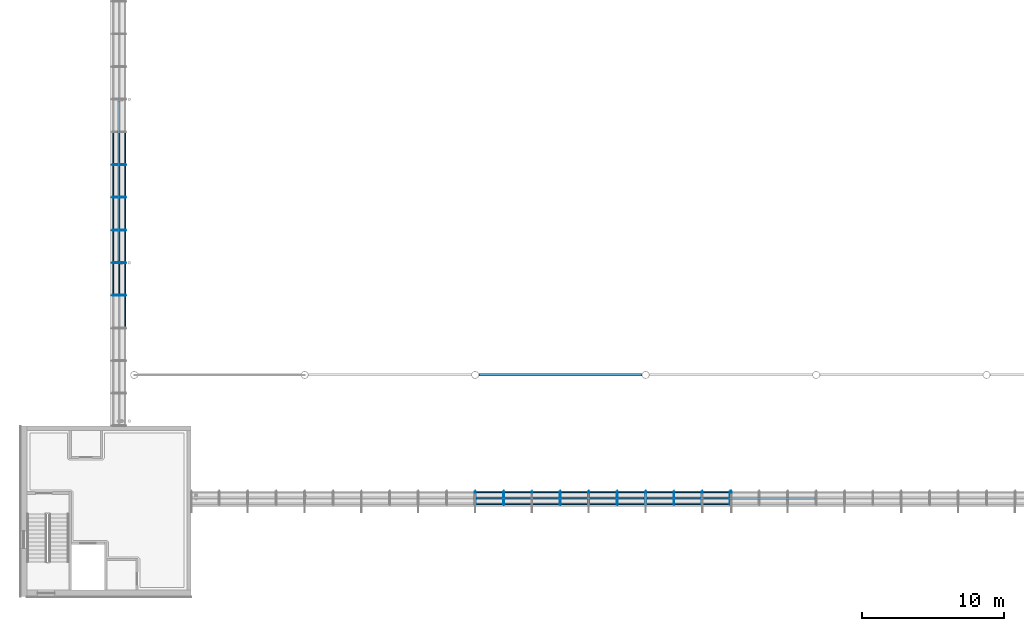
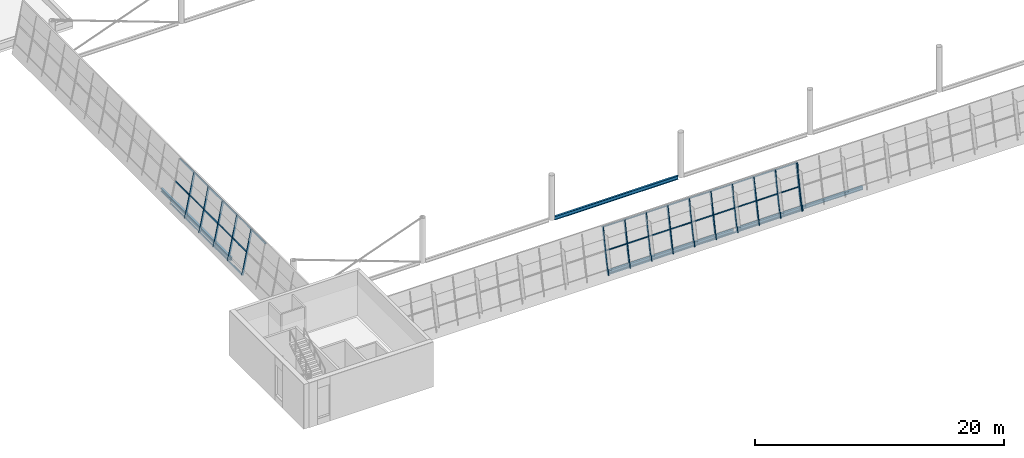
# One storey, part 10 of 50: 59 members, 4 beams, 3 elements without a shape of their own.
"""IFC4 building model written with IfcOpenShell, lengths in metres."""

import ifcopenshell
import ifcopenshell.guid

model = None  # the IFC model being written
_history = None  # IfcOwnerHistory: only IFC2X3 demands one
_inside = {}  # id of a spatial element -> (the spatial element, [elements in it])
_under = {}  # id of a project, library or spatial element -> (it, [spatial elements below it])
_declared = {}  # id of a project -> (the project, [libraries it declares])
_typed = {}  # id of a type object -> (the type object, [elements of that type])
_made_of = {}  # id of a material, layer set ... -> (it, [elements and type objects made of it])


def new_model(schema):
    """Start an empty IFC model of exactly this schema.

    Asked for "IFC4X3", IfcOpenShell would pick the latest addendum, in which some entities
    have other attributes; the version numbers below select the first issue.
    IFC2X3 requires an IfcOwnerHistory on every rooted entity: one is made here for all.
    """
    global model, _history
    if schema == "IFC4X3":
        model = ifcopenshell.file(schema_version=(4, 3, 0, 0))
    else:
        model = ifcopenshell.file(schema=schema)
    _inside.clear()
    _under.clear()
    _declared.clear()
    _typed.clear()
    _made_of.clear()
    _history = None
    if model.schema == "IFC2X3":
        org = make("IfcOrganization", Name="unknown")
        user = make(
            "IfcPersonAndOrganization",
            ThePerson=make("IfcPerson", FamilyName="unknown"),
            TheOrganization=org,
        )
        app = make(
            "IfcApplication",
            ApplicationDeveloper=org,
            Version="unknown",
            ApplicationFullName="unknown",
            ApplicationIdentifier="unknown",
        )
        _history = make(
            "IfcOwnerHistory",
            OwningUser=user,
            OwningApplication=app,
            ChangeAction="ADDED",
            CreationDate=0,
        )
    return model


def make(cls, **values):
    """One entity of the class cls with the attributes given. An attribute that is None is left unset."""
    return model.create_entity(
        cls, **{name: value for name, value in values.items() if value is not None}
    )


def rooted(cls, **values):
    """An entity with a GlobalId (a new one), such as an element, a storey or a relation."""
    return make(cls, GlobalId=ifcopenshell.guid.new(), OwnerHistory=_history, **values)


def si_unit(unit_type, name, prefix=None):
    """IfcSIUnit, for example si_unit("LENGTHUNIT", "METRE", prefix="MILLI")."""
    return make("IfcSIUnit", UnitType=unit_type, Prefix=prefix, Name=name)


def assignment(units):
    """IfcUnitAssignment: the units of a project."""
    return None if units is None else make("IfcUnitAssignment", Units=units)


def point(xyz):
    """IfcCartesianPoint."""
    return None if xyz is None else make("IfcCartesianPoint", Coordinates=xyz)


def direction(xyz):
    """IfcDirection."""
    return None if xyz is None else make("IfcDirection", DirectionRatios=xyz)


def frame(location, z_axis=None, x_axis=None):
    """IfcAxis2Placement3D, a coordinate frame: its origin and axes. An axis left out is left unset."""
    return make(
        "IfcAxis2Placement3D",
        Location=point(location),
        Axis=direction(z_axis),
        RefDirection=direction(x_axis),
    )


def frame_2d(location, x_axis=None):
    """IfcAxis2Placement2D, a coordinate frame in the plane: its origin and x axis."""
    return make(
        "IfcAxis2Placement2D", Location=point(location), RefDirection=direction(x_axis)
    )


def origin():
    """The frame at (0, 0, 0) with its axes left unset."""
    return frame((0.0, 0.0, 0.0))


def origin_2d():
    """The frame at (0, 0) in the plane with its x axis left unset."""
    return frame_2d((0.0, 0.0))


def place(relative_to, where):
    """IfcLocalPlacement: puts the frame where relative to a parent placement (None: the world)."""
    return make(
        "IfcLocalPlacement", PlacementRelTo=relative_to, RelativePlacement=where
    )


def context(
    kind, dimensions, precision=None, world=None, true_north=None, identifier=None
):
    """IfcGeometricRepresentationContext, for example the 3D "Model" context."""
    return make(
        "IfcGeometricRepresentationContext",
        ContextIdentifier=identifier,
        ContextType=kind,
        CoordinateSpaceDimension=dimensions,
        Precision=precision,
        WorldCoordinateSystem=world,
        TrueNorth=true_north,
    )


def subcontext(parent, identifier, kind, view, scale=None):
    """IfcGeometricRepresentationSubContext, for example "Body" below "Model"."""
    return make(
        "IfcGeometricRepresentationSubContext",
        ContextIdentifier=identifier,
        ContextType=kind,
        ParentContext=parent,
        TargetScale=scale,
        TargetView=view,
    )


def project(units=None, contexts=None):
    """IfcProject with its units and contexts."""
    return rooted(
        "IfcProject",
        Name="project",
        RepresentationContexts=contexts,
        UnitsInContext=assignment(units),
    )


def spatial(cls, under=None, at=None, **own):
    """A site, building, storey or space (cls), placed at a placement, below another one or the project."""
    s = rooted(cls, ObjectPlacement=at, **own)
    if under is not None:
        _under.setdefault(under.id(), (under, []))[1].append(s)
    return s


def profile(cls, at=None, kind="AREA", **sizes):
    """A parametric profile (cls). Its sizes go by their IFC names, for example OverallWidth=200.0."""
    return make(cls, ProfileType=kind, Position=at, **sizes)


def rectangle(**sizes):
    """IfcRectangleProfileDef."""
    return profile("IfcRectangleProfileDef", **sizes)


def i_section(**sizes):
    """IfcIShapeProfileDef."""
    return profile("IfcIShapeProfileDef", **sizes)


def extrude(swept, where, along, depth):
    """IfcExtrudedAreaSolid: the profile swept, set in the frame where, extruded along a direction by depth."""
    return make(
        "IfcExtrudedAreaSolid",
        SweptArea=swept,
        Position=where,
        ExtrudedDirection=direction(along),
        Depth=depth,
    )


def shape(context_of_items, identifier, shape_type, items):
    """IfcShapeRepresentation: the items that make up one representation, for example the "Body"."""
    return make(
        "IfcShapeRepresentation",
        ContextOfItems=context_of_items,
        RepresentationIdentifier=identifier,
        RepresentationType=shape_type,
        Items=items,
    )


def material(Name=None, Category=None):
    """IfcMaterial."""
    return make("IfcMaterial", Name=Name, Category=Category)


def layer(
    of_material, thickness, ventilated=None, Name=None, Category=None, Priority=None
):
    """IfcMaterialLayer: one layer of a wall or slab, of a material (None: an air gap)."""
    return make(
        "IfcMaterialLayer",
        Material=of_material,
        LayerThickness=thickness,
        IsVentilated=ventilated,
        Name=Name,
        Category=Category,
        Priority=Priority,
    )


def layer_set(layers, Name=None):
    """IfcMaterialLayerSet."""
    return make("IfcMaterialLayerSet", MaterialLayers=layers, LayerSetName=Name)


def material_profile(
    of_material, cross_section, Name=None, Category=None, Priority=None
):
    """IfcMaterialProfile: a cross section and its material."""
    return make(
        "IfcMaterialProfile",
        Name=Name,
        Material=of_material,
        Profile=cross_section,
        Priority=Priority,
        Category=Category,
    )


def profile_set(profiles, Name=None, composite=None):
    """IfcMaterialProfileSet."""
    return make(
        "IfcMaterialProfileSet",
        Name=Name,
        MaterialProfiles=profiles,
        CompositeProfile=composite,
    )


def made_of(thing, what):
    """Note that an element or type object is made of a material, layer set ...; save() writes the relation."""
    if what is not None:
        _made_of.setdefault(what.id(), (what, []))[1].append(thing)
    return thing


def type_object(cls, material=None, **own):
    """A type object (cls), such as IfcWallType, which elements share."""
    return made_of(rooted(cls, **own), material)


def element(
    cls,
    number,
    at=None,
    inside=None,
    cuts=None,
    type_object=None,
    material=None,
    context=None,
    identifier="Body",
    shape_type=None,
    held_by="IfcProductDefinitionShape",
    body=None,
    shapes=None,
    **own,
):
    """One element of the class cls, such as IfcWall. Its Tag is "e" and its number.

    at: its placement. inside: the storey or other place that contains it. cuts: it is an
    opening in that element (IfcRelVoidsElement). A single representation is given by context,
    identifier, shape_type and body (its items); several are given by shapes. held_by: the class
    of the entity that holds the representations. save() writes the other relations.
    """
    e = rooted(cls, Tag="e%d" % number, ObjectPlacement=at, **own)
    if body is not None:
        shapes = [shape(context, identifier, shape_type, body)]
    if shapes is not None:
        e.Representation = make(held_by, Representations=shapes)
    if inside is not None:
        _inside.setdefault(inside.id(), (inside, []))[1].append(e)
    if cuts is not None:
        rooted(
            "IfcRelVoidsElement", RelatingBuildingElement=cuts, RelatedOpeningElement=e
        )
    if type_object is not None:
        _typed.setdefault(type_object.id(), (type_object, []))[1].append(e)
    return made_of(e, material)


def aggregate(whole, parts):
    """IfcRelAggregates: a whole, such as a stair, and the parts it consists of."""
    return rooted("IfcRelAggregates", RelatingObject=whole, RelatedObjects=parts)


def save(model, path):
    """Write the relations noted so far, then the file.

    IfcRelAggregates (storeys below a building ...), IfcRelContainedInSpatialStructure (elements
    in a storey), IfcRelDefinesByType, IfcRelAssociatesMaterial and IfcRelDeclares: one each for
    every whole, place, type object, material and project.
    """
    for whole, parts in _under.values():
        aggregate(whole, parts)
    for where, things in _inside.values():
        rooted(
            "IfcRelContainedInSpatialStructure",
            RelatedElements=things,
            RelatingStructure=where,
        )
    for kind, things in _typed.values():
        rooted("IfcRelDefinesByType", RelatedObjects=things, RelatingType=kind)
    for what, things in _made_of.values():
        rooted("IfcRelAssociatesMaterial", RelatedObjects=things, RelatingMaterial=what)
    for by, libraries in _declared.values():
        rooted("IfcRelDeclares", RelatingContext=by, RelatedDefinitions=libraries)
    model.write(path)


model = new_model("IFC4")

# Units and contexts
model_context = context("Model", 3, precision=1e-05, world=origin(), true_north=direction((0.0, 1.0)))
body_context = subcontext(model_context, "Body", "Model", "MODEL_VIEW")
ifc_project = project(units=[si_unit("LENGTHUNIT", "METRE"), si_unit("AREAUNIT", "SQUARE_METRE"), si_unit("VOLUMEUNIT", "CUBIC_METRE"), si_unit("PLANEANGLEUNIT", "RADIAN"), si_unit("MASSUNIT", "GRAM", prefix="KILO")], contexts=[model_context])

# Site, building, storey
site_placement = place(None, origin())
site = spatial("IfcSite", under=ifc_project, at=site_placement, CompositionType="ELEMENT")
building_placement = place(site_placement, origin())
building = spatial("IfcBuilding", under=site, at=building_placement, Name="Windward Yard Aquatics Centre", CompositionType="ELEMENT")
storey_placement = place(building_placement, frame((0.0, 0.0, 18.199951171875)))
storey = spatial("IfcBuildingStorey", under=building, at=storey_placement, Name="L04", CompositionType="ELEMENT", Elevation=18.199951171875)

# Curtain wall, members
ifc_material_1 = material(Name="Glass and aluminium curtain wall", Category="aluminium")
ifc_layer = layer(ifc_material_1, 0.179931640625)
ifc_layer_set = layer_set([ifc_layer], Name="H curtain wall tier 2 double glazed 6+16+6")
curtain_wall_type = type_object("IfcCurtainWallType", Name="H curtain wall tier 2 double glazed 6+16+6", PredefinedType="NOTDEFINED", material=ifc_layer_set)
curtain_wall_1_placement = place(storey_placement, origin())
curtain_wall_1 = element("IfcCurtainWall", 1, at=curtain_wall_1_placement, inside=storey, type_object=curtain_wall_type, Name="Tier 2 glazing S L04", PredefinedType="NOTDEFINED")
ifc_material_2 = material(Name="Aluminium 6063-T6 anodised", Category="aluminium")
ifc_material_profile_1 = material_profile(ifc_material_2, rectangle(XDim=0.06494140625, YDim=0.179931640625, at=origin_2d()), Name="H CW mullion 65x180")
ifc_profile_set_1 = profile_set([ifc_material_profile_1], Name="Aluminium 6063-T6 anodised")
member_type_1 = type_object("IfcMemberType", Name="H CW mullion 65x180", PredefinedType="MULLION", material=ifc_profile_set_1)
member_1_placement = place(storey_placement, frame((83.997314453125, 32.505126953125, 0.0), z_axis=(0.0, 0.199376314935, 0.979922999548), x_axis=(-1.0, 0.0, 0.0)))
member_1 = element("IfcMember", 2, at=member_1_placement, type_object=member_type_1, Name="G2SA mullion 11", PredefinedType="MULLION", context=body_context, shape_type="SweptSolid", body=[
    extrude(rectangle(XDim=0.06494140625, YDim=0.179931640625, at=origin_2d()), origin(), (0.0, 0.0, 1.0), 4.31884765625),
])
member_2_placement = place(storey_placement, frame((85.9970703125, 32.505126953125, 0.0), z_axis=(0.0, 0.199376314935, 0.979922999548), x_axis=(-1.0, 0.0, 0.0)))
member_2 = element("IfcMember", 3, at=member_2_placement, type_object=member_type_1, Name="G2SA mullion 12", PredefinedType="MULLION", context=body_context, shape_type="SweptSolid", body=[
    extrude(rectangle(XDim=0.06494140625, YDim=0.179931640625, at=origin_2d()), origin(), (0.0, 0.0, 1.0), 4.31884765625),
])
member_3_placement = place(storey_placement, frame((87.996826171875, 32.505126953125, 0.0), z_axis=(0.0, 0.199376314935, 0.979922999548), x_axis=(-1.0, 0.0, 0.0)))
member_3 = element("IfcMember", 4, at=member_3_placement, type_object=member_type_1, Name="G2SA mullion 13", PredefinedType="MULLION", context=body_context, shape_type="SweptSolid", body=[
    extrude(rectangle(XDim=0.06494140625, YDim=0.179931640625, at=origin_2d()), origin(), (0.0, 0.0, 1.0), 4.31884765625),
])
member_4_placement = place(storey_placement, frame((89.99658203125, 32.505126953125, 0.0), z_axis=(0.0, 0.199376314935, 0.979922999548), x_axis=(-1.0, 0.0, 0.0)))
member_4 = element("IfcMember", 5, at=member_4_placement, type_object=member_type_1, Name="G2SA mullion 14", PredefinedType="MULLION", context=body_context, shape_type="SweptSolid", body=[
    extrude(rectangle(XDim=0.06494140625, YDim=0.179931640625, at=origin_2d()), origin(), (0.0, 0.0, 1.0), 4.31884765625),
])
member_5_placement = place(storey_placement, frame((91.996337890625, 32.505126953125, 0.0), z_axis=(0.0, 0.199376314935, 0.979922999548), x_axis=(-1.0, 0.0, 0.0)))
member_5 = element("IfcMember", 6, at=member_5_placement, type_object=member_type_1, Name="G2SA mullion 15", PredefinedType="MULLION", context=body_context, shape_type="SweptSolid", body=[
    extrude(rectangle(XDim=0.06494140625, YDim=0.179931640625, at=origin_2d()), origin(), (0.0, 0.0, 1.0), 4.31884765625),
])
member_6_placement = place(storey_placement, frame((93.99609375, 32.505126953125, 0.0), z_axis=(0.0, 0.199376314935, 0.979922999548), x_axis=(-1.0, 0.0, 0.0)))
member_6 = element("IfcMember", 7, at=member_6_placement, type_object=member_type_1, Name="G2SA mullion 16", PredefinedType="MULLION", context=body_context, shape_type="SweptSolid", body=[
    extrude(rectangle(XDim=0.06494140625, YDim=0.179931640625, at=origin_2d()), origin(), (0.0, 0.0, 1.0), 4.31884765625),
])
member_7_placement = place(storey_placement, frame((95.995849609375, 32.505126953125, 0.0), z_axis=(0.0, 0.199376314935, 0.979922999548), x_axis=(-1.0, 0.0, 0.0)))
member_7 = element("IfcMember", 8, at=member_7_placement, type_object=member_type_1, Name="G2SA mullion 17", PredefinedType="MULLION", context=body_context, shape_type="SweptSolid", body=[
    extrude(rectangle(XDim=0.06494140625, YDim=0.179931640625, at=origin_2d()), origin(), (0.0, 0.0, 1.0), 4.31884765625),
])
member_8_placement = place(storey_placement, frame((97.99560546875, 32.505126953125, 0.0), z_axis=(0.0, 0.199376314935, 0.979922999548), x_axis=(-1.0, 0.0, 0.0)))
member_8 = element("IfcMember", 9, at=member_8_placement, type_object=member_type_1, Name="G2SA mullion 18", PredefinedType="MULLION", context=body_context, shape_type="SweptSolid", body=[
    extrude(rectangle(XDim=0.06494140625, YDim=0.179931640625, at=origin_2d()), origin(), (0.0, 0.0, 1.0), 4.31884765625),
])
member_9_placement = place(storey_placement, frame((99.995361328125, 32.505126953125, 0.0), z_axis=(0.0, 0.199376314935, 0.979922999548), x_axis=(-1.0, 0.0, 0.0)))
member_9 = element("IfcMember", 10, at=member_9_placement, type_object=member_type_1, Name="G2SA mullion 19", PredefinedType="MULLION", context=body_context, shape_type="SweptSolid", body=[
    extrude(rectangle(XDim=0.06494140625, YDim=0.179931640625, at=origin_2d()), origin(), (0.0, 0.0, 1.0), 4.31884765625),
])
member_10_placement = place(storey_placement, frame((101.96240234375, 32.505126953125, 0.0), z_axis=(0.0, 0.199376314935, 0.979922999548), x_axis=(-1.0, 0.0, 0.0)))
member_10 = element("IfcMember", 11, at=member_10_placement, type_object=member_type_1, Name="G2SA mullion 20", PredefinedType="MULLION", context=body_context, shape_type="SweptSolid", body=[
    extrude(rectangle(XDim=0.06494140625, YDim=0.179931640625, at=origin_2d()), origin(), (0.0, 0.0, 1.0), 4.31884765625),
])

# Curtain wall, member
curtain_wall_2_placement = place(storey_placement, origin())
curtain_wall_2 = element("IfcCurtainWall", 12, at=curtain_wall_2_placement, inside=storey, type_object=curtain_wall_type, Name="Tier 2 glazing S L04", PredefinedType="NOTDEFINED")
member_11_placement = place(storey_placement, frame((102.03759765625, 32.505126953125, 0.0), z_axis=(0.0, 0.199376314935, 0.979922999548), x_axis=(-1.0, 0.0, 0.0)))
member_11 = element("IfcMember", 13, at=member_11_placement, type_object=member_type_1, Name="G2SB mullion 1", PredefinedType="MULLION", context=body_context, shape_type="SweptSolid", body=[
    extrude(rectangle(XDim=0.06494140625, YDim=0.179931640625, at=origin_2d()), origin(), (0.0, 0.0, 1.0), 4.31884765625),
])
aggregate(curtain_wall_2, [member_11])

# Curtain wall, members
curtain_wall_3_placement = place(storey_placement, origin())
curtain_wall_3 = element("IfcCurtainWall", 14, at=curtain_wall_3_placement, inside=storey, type_object=curtain_wall_type, Name="Tier 2 glazing W L04", PredefinedType="NOTDEFINED")
member_12_placement = place(storey_placement, frame((58.505126953125, 47.199951171875, 0.0), z_axis=(0.199376314935, 0.0, 0.979922999548), x_axis=(0.0, 1.0, 0.0)))
member_12 = element("IfcMember", 15, at=member_12_placement, type_object=member_type_1, Name="G2WA mullion 5", PredefinedType="MULLION", context=body_context, shape_type="SweptSolid", body=[
    extrude(rectangle(XDim=0.06494140625, YDim=0.179931640625, at=origin_2d()), origin(), (0.0, 0.0, 1.0), 4.31884765625),
])
member_13_placement = place(storey_placement, frame((58.505126953125, 49.5, 0.0), z_axis=(0.199376314935, 0.0, 0.979922999548), x_axis=(0.0, 1.0, 0.0)))
member_13 = element("IfcMember", 16, at=member_13_placement, type_object=member_type_1, Name="G2WA mullion 6", PredefinedType="MULLION", context=body_context, shape_type="SweptSolid", body=[
    extrude(rectangle(XDim=0.06494140625, YDim=0.179931640625, at=origin_2d()), origin(), (0.0, 0.0, 1.0), 4.31884765625),
])
member_14_placement = place(storey_placement, frame((58.505126953125, 51.800048828125, 0.0), z_axis=(0.199376314935, 0.0, 0.979922999548), x_axis=(0.0, 1.0, 0.0)))
member_14 = element("IfcMember", 17, at=member_14_placement, type_object=member_type_1, Name="G2WA mullion 7", PredefinedType="MULLION", context=body_context, shape_type="SweptSolid", body=[
    extrude(rectangle(XDim=0.06494140625, YDim=0.179931640625, at=origin_2d()), origin(), (0.0, 0.0, 1.0), 4.31884765625),
])
member_15_placement = place(storey_placement, frame((58.505126953125, 54.10009765625, 0.0), z_axis=(0.199376314935, 0.0, 0.979922999548), x_axis=(0.0, 1.0, 0.0)))
member_15 = element("IfcMember", 18, at=member_15_placement, type_object=member_type_1, Name="G2WA mullion 8", PredefinedType="MULLION", context=body_context, shape_type="SweptSolid", body=[
    extrude(rectangle(XDim=0.06494140625, YDim=0.179931640625, at=origin_2d()), origin(), (0.0, 0.0, 1.0), 4.31884765625),
])
member_16_placement = place(storey_placement, frame((58.505126953125, 56.39990234375, 0.0), z_axis=(0.199376314935, 0.0, 0.979922999548), x_axis=(0.0, 1.0, 0.0)))
member_16 = element("IfcMember", 19, at=member_16_placement, type_object=member_type_1, Name="G2WA mullion 9", PredefinedType="MULLION", context=body_context, shape_type="SweptSolid", body=[
    extrude(rectangle(XDim=0.06494140625, YDim=0.179931640625, at=origin_2d()), origin(), (0.0, 0.0, 1.0), 4.31884765625),
])

# Member
ifc_material_profile_2 = material_profile(ifc_material_2, rectangle(XDim=0.06494140625, YDim=0.10009765625, at=origin_2d()), Name="H CW transom 65x100")
ifc_profile_set_2 = profile_set([ifc_material_profile_2], Name="Aluminium 6063-T6 anodised")
member_type_2 = type_object("IfcMemberType", Name="H CW transom 65x100", PredefinedType="USERDEFINED", material=ifc_profile_set_2)
member_17_placement = place(storey_placement, frame((84.02978515625, 32.51513671875, 0.049072265625), z_axis=(1.0, 0.0, 0.0), x_axis=(0.0, -0.9799247046, 0.19936793452)))
member_17 = element("IfcMember", 20, at=member_17_placement, type_object=member_type_2, Name="G2SA transom 11.1", ObjectType="TRANSOM", PredefinedType="USERDEFINED", context=body_context, shape_type="SweptSolid", body=[
    extrude(rectangle(XDim=0.06494140625, YDim=0.10009765625, at=origin_2d()), origin(), (0.0, 0.0, 1.0), 1.934814453125),
])

member_18_placement = place(storey_placement, frame((84.02978515625, 32.9375, 2.125), z_axis=(1.0, 0.0, 0.0), x_axis=(0.0, -0.9799247046, 0.19936793452)))
member_18 = element("IfcMember", 21, at=member_18_placement, type_object=member_type_2, Name="G2SA transom 11.2", ObjectType="TRANSOM", PredefinedType="USERDEFINED", context=body_context, shape_type="SweptSolid", body=[
    extrude(rectangle(XDim=0.06494140625, YDim=0.10009765625, at=origin_2d()), origin(), (0.0, 0.0, 1.0), 1.934814453125),
])

member_19_placement = place(storey_placement, frame((84.02978515625, 33.358642578125, 4.194580078125), z_axis=(1.0, 0.0, 0.0), x_axis=(0.0, -0.9799247046, 0.19936793452)))
member_19 = element("IfcMember", 22, at=member_19_placement, type_object=member_type_2, Name="G2SA transom 11.3", ObjectType="TRANSOM", PredefinedType="USERDEFINED", context=body_context, shape_type="SweptSolid", body=[
    extrude(rectangle(XDim=0.06494140625, YDim=0.10009765625, at=origin_2d()), origin(), (0.0, 0.0, 1.0), 1.934814453125),
])

member_20_placement = place(storey_placement, frame((86.029541015625, 32.51513671875, 0.049072265625), z_axis=(1.0, 0.0, 0.0), x_axis=(0.0, -0.9799247046, 0.19936793452)))
member_20 = element("IfcMember", 23, at=member_20_placement, type_object=member_type_2, Name="G2SA transom 12.1", ObjectType="TRANSOM", PredefinedType="USERDEFINED", context=body_context, shape_type="SweptSolid", body=[
    extrude(rectangle(XDim=0.06494140625, YDim=0.10009765625, at=origin_2d()), origin(), (0.0, 0.0, 1.0), 1.934814453125),
])

member_21_placement = place(storey_placement, frame((86.029541015625, 32.9375, 2.125), z_axis=(1.0, 0.0, 0.0), x_axis=(0.0, -0.9799247046, 0.19936793452)))
member_21 = element("IfcMember", 24, at=member_21_placement, type_object=member_type_2, Name="G2SA transom 12.2", ObjectType="TRANSOM", PredefinedType="USERDEFINED", context=body_context, shape_type="SweptSolid", body=[
    extrude(rectangle(XDim=0.06494140625, YDim=0.10009765625, at=origin_2d()), origin(), (0.0, 0.0, 1.0), 1.934814453125),
])

member_22_placement = place(storey_placement, frame((86.029541015625, 33.358642578125, 4.194580078125), z_axis=(1.0, 0.0, 0.0), x_axis=(0.0, -0.9799247046, 0.19936793452)))
member_22 = element("IfcMember", 25, at=member_22_placement, type_object=member_type_2, Name="G2SA transom 12.3", ObjectType="TRANSOM", PredefinedType="USERDEFINED", context=body_context, shape_type="SweptSolid", body=[
    extrude(rectangle(XDim=0.06494140625, YDim=0.10009765625, at=origin_2d()), origin(), (0.0, 0.0, 1.0), 1.934814453125),
])

member_23_placement = place(storey_placement, frame((88.029296875, 32.51513671875, 0.049072265625), z_axis=(1.0, 0.0, 0.0), x_axis=(0.0, -0.9799247046, 0.19936793452)))
member_23 = element("IfcMember", 26, at=member_23_placement, type_object=member_type_2, Name="G2SA transom 13.1", ObjectType="TRANSOM", PredefinedType="USERDEFINED", context=body_context, shape_type="SweptSolid", body=[
    extrude(rectangle(XDim=0.06494140625, YDim=0.10009765625, at=origin_2d()), origin(), (0.0, 0.0, 1.0), 1.934814453125),
])

member_24_placement = place(storey_placement, frame((88.029296875, 32.9375, 2.125), z_axis=(1.0, 0.0, 0.0), x_axis=(0.0, -0.9799247046, 0.19936793452)))
member_24 = element("IfcMember", 27, at=member_24_placement, type_object=member_type_2, Name="G2SA transom 13.2", ObjectType="TRANSOM", PredefinedType="USERDEFINED", context=body_context, shape_type="SweptSolid", body=[
    extrude(rectangle(XDim=0.06494140625, YDim=0.10009765625, at=origin_2d()), origin(), (0.0, 0.0, 1.0), 1.934814453125),
])

member_25_placement = place(storey_placement, frame((88.029296875, 33.358642578125, 4.194580078125), z_axis=(1.0, 0.0, 0.0), x_axis=(0.0, -0.9799247046, 0.19936793452)))
member_25 = element("IfcMember", 28, at=member_25_placement, type_object=member_type_2, Name="G2SA transom 13.3", ObjectType="TRANSOM", PredefinedType="USERDEFINED", context=body_context, shape_type="SweptSolid", body=[
    extrude(rectangle(XDim=0.06494140625, YDim=0.10009765625, at=origin_2d()), origin(), (0.0, 0.0, 1.0), 1.934814453125),
])

member_26_placement = place(storey_placement, frame((90.029052734375, 32.51513671875, 0.049072265625), z_axis=(1.0, 0.0, 0.0), x_axis=(0.0, -0.9799247046, 0.19936793452)))
member_26 = element("IfcMember", 29, at=member_26_placement, type_object=member_type_2, Name="G2SA transom 14.1", ObjectType="TRANSOM", PredefinedType="USERDEFINED", context=body_context, shape_type="SweptSolid", body=[
    extrude(rectangle(XDim=0.06494140625, YDim=0.10009765625, at=origin_2d()), origin(), (0.0, 0.0, 1.0), 1.934814453125),
])

member_27_placement = place(storey_placement, frame((90.029052734375, 32.9375, 2.125), z_axis=(1.0, 0.0, 0.0), x_axis=(0.0, -0.9799247046, 0.19936793452)))
member_27 = element("IfcMember", 30, at=member_27_placement, type_object=member_type_2, Name="G2SA transom 14.2", ObjectType="TRANSOM", PredefinedType="USERDEFINED", context=body_context, shape_type="SweptSolid", body=[
    extrude(rectangle(XDim=0.06494140625, YDim=0.10009765625, at=origin_2d()), origin(), (0.0, 0.0, 1.0), 1.934814453125),
])

member_28_placement = place(storey_placement, frame((90.029052734375, 33.358642578125, 4.194580078125), z_axis=(1.0, 0.0, 0.0), x_axis=(0.0, -0.9799247046, 0.19936793452)))
member_28 = element("IfcMember", 31, at=member_28_placement, type_object=member_type_2, Name="G2SA transom 14.3", ObjectType="TRANSOM", PredefinedType="USERDEFINED", context=body_context, shape_type="SweptSolid", body=[
    extrude(rectangle(XDim=0.06494140625, YDim=0.10009765625, at=origin_2d()), origin(), (0.0, 0.0, 1.0), 1.934814453125),
])

member_29_placement = place(storey_placement, frame((92.02880859375, 32.51513671875, 0.049072265625), z_axis=(1.0, 0.0, 0.0), x_axis=(0.0, -0.9799247046, 0.19936793452)))
member_29 = element("IfcMember", 32, at=member_29_placement, type_object=member_type_2, Name="G2SA transom 15.1", ObjectType="TRANSOM", PredefinedType="USERDEFINED", context=body_context, shape_type="SweptSolid", body=[
    extrude(rectangle(XDim=0.06494140625, YDim=0.10009765625, at=origin_2d()), origin(), (0.0, 0.0, 1.0), 1.934814453125),
])

member_30_placement = place(storey_placement, frame((92.02880859375, 32.9375, 2.125), z_axis=(1.0, 0.0, 0.0), x_axis=(0.0, -0.9799247046, 0.19936793452)))
member_30 = element("IfcMember", 33, at=member_30_placement, type_object=member_type_2, Name="G2SA transom 15.2", ObjectType="TRANSOM", PredefinedType="USERDEFINED", context=body_context, shape_type="SweptSolid", body=[
    extrude(rectangle(XDim=0.06494140625, YDim=0.10009765625, at=origin_2d()), origin(), (0.0, 0.0, 1.0), 1.934814453125),
])

member_31_placement = place(storey_placement, frame((92.02880859375, 33.358642578125, 4.194580078125), z_axis=(1.0, 0.0, 0.0), x_axis=(0.0, -0.9799247046, 0.19936793452)))
member_31 = element("IfcMember", 34, at=member_31_placement, type_object=member_type_2, Name="G2SA transom 15.3", ObjectType="TRANSOM", PredefinedType="USERDEFINED", context=body_context, shape_type="SweptSolid", body=[
    extrude(rectangle(XDim=0.06494140625, YDim=0.10009765625, at=origin_2d()), origin(), (0.0, 0.0, 1.0), 1.934814453125),
])

member_32_placement = place(storey_placement, frame((94.028564453125, 32.51513671875, 0.049072265625), z_axis=(1.0, 0.0, 0.0), x_axis=(0.0, -0.9799247046, 0.19936793452)))
member_32 = element("IfcMember", 35, at=member_32_placement, type_object=member_type_2, Name="G2SA transom 16.1", ObjectType="TRANSOM", PredefinedType="USERDEFINED", context=body_context, shape_type="SweptSolid", body=[
    extrude(rectangle(XDim=0.06494140625, YDim=0.10009765625, at=origin_2d()), origin(), (0.0, 0.0, 1.0), 1.934814453125),
])

member_33_placement = place(storey_placement, frame((94.028564453125, 32.9375, 2.125), z_axis=(1.0, 0.0, 0.0), x_axis=(0.0, -0.9799247046, 0.19936793452)))
member_33 = element("IfcMember", 36, at=member_33_placement, type_object=member_type_2, Name="G2SA transom 16.2", ObjectType="TRANSOM", PredefinedType="USERDEFINED", context=body_context, shape_type="SweptSolid", body=[
    extrude(rectangle(XDim=0.06494140625, YDim=0.10009765625, at=origin_2d()), origin(), (0.0, 0.0, 1.0), 1.934814453125),
])

member_34_placement = place(storey_placement, frame((94.028564453125, 33.358642578125, 4.194580078125), z_axis=(1.0, 0.0, 0.0), x_axis=(0.0, -0.9799247046, 0.19936793452)))
member_34 = element("IfcMember", 37, at=member_34_placement, type_object=member_type_2, Name="G2SA transom 16.3", ObjectType="TRANSOM", PredefinedType="USERDEFINED", context=body_context, shape_type="SweptSolid", body=[
    extrude(rectangle(XDim=0.06494140625, YDim=0.10009765625, at=origin_2d()), origin(), (0.0, 0.0, 1.0), 1.934814453125),
])

member_35_placement = place(storey_placement, frame((96.0283203125, 32.51513671875, 0.049072265625), z_axis=(1.0, 0.0, 0.0), x_axis=(0.0, -0.9799247046, 0.19936793452)))
member_35 = element("IfcMember", 38, at=member_35_placement, type_object=member_type_2, Name="G2SA transom 17.1", ObjectType="TRANSOM", PredefinedType="USERDEFINED", context=body_context, shape_type="SweptSolid", body=[
    extrude(rectangle(XDim=0.06494140625, YDim=0.10009765625, at=origin_2d()), origin(), (0.0, 0.0, 1.0), 1.934814453125),
])

member_36_placement = place(storey_placement, frame((96.0283203125, 32.9375, 2.125), z_axis=(1.0, 0.0, 0.0), x_axis=(0.0, -0.9799247046, 0.19936793452)))
member_36 = element("IfcMember", 39, at=member_36_placement, type_object=member_type_2, Name="G2SA transom 17.2", ObjectType="TRANSOM", PredefinedType="USERDEFINED", context=body_context, shape_type="SweptSolid", body=[
    extrude(rectangle(XDim=0.06494140625, YDim=0.10009765625, at=origin_2d()), origin(), (0.0, 0.0, 1.0), 1.934814453125),
])

member_37_placement = place(storey_placement, frame((96.0283203125, 33.358642578125, 4.194580078125), z_axis=(1.0, 0.0, 0.0), x_axis=(0.0, -0.9799247046, 0.19936793452)))
member_37 = element("IfcMember", 40, at=member_37_placement, type_object=member_type_2, Name="G2SA transom 17.3", ObjectType="TRANSOM", PredefinedType="USERDEFINED", context=body_context, shape_type="SweptSolid", body=[
    extrude(rectangle(XDim=0.06494140625, YDim=0.10009765625, at=origin_2d()), origin(), (0.0, 0.0, 1.0), 1.934814453125),
])

member_38_placement = place(storey_placement, frame((98.028076171875, 32.51513671875, 0.049072265625), z_axis=(1.0, 0.0, 0.0), x_axis=(0.0, -0.9799247046, 0.19936793452)))
member_38 = element("IfcMember", 41, at=member_38_placement, type_object=member_type_2, Name="G2SA transom 18.1", ObjectType="TRANSOM", PredefinedType="USERDEFINED", context=body_context, shape_type="SweptSolid", body=[
    extrude(rectangle(XDim=0.06494140625, YDim=0.10009765625, at=origin_2d()), origin(), (0.0, 0.0, 1.0), 1.9345703125),
])

member_39_placement = place(storey_placement, frame((98.028076171875, 32.9375, 2.125), z_axis=(1.0, 0.0, 0.0), x_axis=(0.0, -0.9799247046, 0.19936793452)))
member_39 = element("IfcMember", 42, at=member_39_placement, type_object=member_type_2, Name="G2SA transom 18.2", ObjectType="TRANSOM", PredefinedType="USERDEFINED", context=body_context, shape_type="SweptSolid", body=[
    extrude(rectangle(XDim=0.06494140625, YDim=0.10009765625, at=origin_2d()), origin(), (0.0, 0.0, 1.0), 1.9345703125),
])

member_40_placement = place(storey_placement, frame((98.028076171875, 33.358642578125, 4.194580078125), z_axis=(1.0, 0.0, 0.0), x_axis=(0.0, -0.9799247046, 0.19936793452)))
member_40 = element("IfcMember", 43, at=member_40_placement, type_object=member_type_2, Name="G2SA transom 18.3", ObjectType="TRANSOM", PredefinedType="USERDEFINED", context=body_context, shape_type="SweptSolid", body=[
    extrude(rectangle(XDim=0.06494140625, YDim=0.10009765625, at=origin_2d()), origin(), (0.0, 0.0, 1.0), 1.9345703125),
])

member_41_placement = place(storey_placement, frame((100.02783203125, 32.51513671875, 0.049072265625), z_axis=(1.0, 0.0, 0.0), x_axis=(0.0, -0.9799247046, 0.19936793452)))
member_41 = element("IfcMember", 44, at=member_41_placement, type_object=member_type_2, Name="G2SA transom 19.1", ObjectType="TRANSOM", PredefinedType="USERDEFINED", context=body_context, shape_type="SweptSolid", body=[
    extrude(rectangle(XDim=0.06494140625, YDim=0.10009765625, at=origin_2d()), origin(), (0.0, 0.0, 1.0), 1.902099609375),
])

member_42_placement = place(storey_placement, frame((100.02783203125, 32.9375, 2.125), z_axis=(1.0, 0.0, 0.0), x_axis=(0.0, -0.9799247046, 0.19936793452)))
member_42 = element("IfcMember", 45, at=member_42_placement, type_object=member_type_2, Name="G2SA transom 19.2", ObjectType="TRANSOM", PredefinedType="USERDEFINED", context=body_context, shape_type="SweptSolid", body=[
    extrude(rectangle(XDim=0.06494140625, YDim=0.10009765625, at=origin_2d()), origin(), (0.0, 0.0, 1.0), 1.902099609375),
])

member_43_placement = place(storey_placement, frame((100.02783203125, 33.358642578125, 4.194580078125), z_axis=(1.0, 0.0, 0.0), x_axis=(0.0, -0.9799247046, 0.19936793452)))
member_43 = element("IfcMember", 46, at=member_43_placement, type_object=member_type_2, Name="G2SA transom 19.3", ObjectType="TRANSOM", PredefinedType="USERDEFINED", context=body_context, shape_type="SweptSolid", body=[
    extrude(rectangle(XDim=0.06494140625, YDim=0.10009765625, at=origin_2d()), origin(), (0.0, 0.0, 1.0), 1.902099609375),
])

aggregate(curtain_wall_1, [member_1, member_2, member_3, member_4, member_5, member_6, member_7, member_8, member_9, member_10, member_17, member_18, member_19, member_20, member_21, member_22, member_23, member_24, member_25, member_26, member_27, member_28, member_29, member_30, member_31, member_32, member_33, member_34, member_35, member_36, member_37, member_38, member_39, member_40, member_41, member_42, member_43])

member_44_placement = place(storey_placement, frame((59.358642578125, 44.9326171875, 4.194580078125), z_axis=(0.0, 1.0, 0.0), x_axis=(-0.9799247046, 0.0, 0.19936793452)))
member_44 = element("IfcMember", 47, at=member_44_placement, type_object=member_type_2, Name="G2WA transom 4.3", ObjectType="TRANSOM", PredefinedType="USERDEFINED", context=body_context, shape_type="SweptSolid", body=[
    extrude(rectangle(XDim=0.06494140625, YDim=0.10009765625, at=origin_2d()), origin(), (0.0, 0.0, 1.0), 2.23486328125),
])

member_45_placement = place(storey_placement, frame((58.51513671875, 47.232421875, 0.049072265625), z_axis=(0.0, 1.0, 0.0), x_axis=(-0.9799247046, 0.0, 0.19936793452)))
member_45 = element("IfcMember", 48, at=member_45_placement, type_object=member_type_2, Name="G2WA transom 5.1", ObjectType="TRANSOM", PredefinedType="USERDEFINED", context=body_context, shape_type="SweptSolid", body=[
    extrude(rectangle(XDim=0.06494140625, YDim=0.10009765625, at=origin_2d()), origin(), (0.0, 0.0, 1.0), 2.235107421875),
])

member_46_placement = place(storey_placement, frame((58.9375, 47.232421875, 2.125), z_axis=(0.0, 1.0, 0.0), x_axis=(-0.9799247046, 0.0, 0.19936793452)))
member_46 = element("IfcMember", 49, at=member_46_placement, type_object=member_type_2, Name="G2WA transom 5.2", ObjectType="TRANSOM", PredefinedType="USERDEFINED", context=body_context, shape_type="SweptSolid", body=[
    extrude(rectangle(XDim=0.06494140625, YDim=0.10009765625, at=origin_2d()), origin(), (0.0, 0.0, 1.0), 2.235107421875),
])

member_47_placement = place(storey_placement, frame((59.358642578125, 47.232421875, 4.194580078125), z_axis=(0.0, 1.0, 0.0), x_axis=(-0.9799247046, 0.0, 0.19936793452)))
member_47 = element("IfcMember", 50, at=member_47_placement, type_object=member_type_2, Name="G2WA transom 5.3", ObjectType="TRANSOM", PredefinedType="USERDEFINED", context=body_context, shape_type="SweptSolid", body=[
    extrude(rectangle(XDim=0.06494140625, YDim=0.10009765625, at=origin_2d()), origin(), (0.0, 0.0, 1.0), 2.235107421875),
])

member_48_placement = place(storey_placement, frame((58.51513671875, 49.532470703125, 0.049072265625), z_axis=(0.0, 1.0, 0.0), x_axis=(-0.9799247046, 0.0, 0.19936793452)))
member_48 = element("IfcMember", 51, at=member_48_placement, type_object=member_type_2, Name="G2WA transom 6.1", ObjectType="TRANSOM", PredefinedType="USERDEFINED", context=body_context, shape_type="SweptSolid", body=[
    extrude(rectangle(XDim=0.06494140625, YDim=0.10009765625, at=origin_2d()), origin(), (0.0, 0.0, 1.0), 2.235107421875),
])

member_49_placement = place(storey_placement, frame((58.9375, 49.532470703125, 2.125), z_axis=(0.0, 1.0, 0.0), x_axis=(-0.9799247046, 0.0, 0.19936793452)))
member_49 = element("IfcMember", 52, at=member_49_placement, type_object=member_type_2, Name="G2WA transom 6.2", ObjectType="TRANSOM", PredefinedType="USERDEFINED", context=body_context, shape_type="SweptSolid", body=[
    extrude(rectangle(XDim=0.06494140625, YDim=0.10009765625, at=origin_2d()), origin(), (0.0, 0.0, 1.0), 2.235107421875),
])

member_50_placement = place(storey_placement, frame((59.358642578125, 49.532470703125, 4.194580078125), z_axis=(0.0, 1.0, 0.0), x_axis=(-0.9799247046, 0.0, 0.19936793452)))
member_50 = element("IfcMember", 53, at=member_50_placement, type_object=member_type_2, Name="G2WA transom 6.3", ObjectType="TRANSOM", PredefinedType="USERDEFINED", context=body_context, shape_type="SweptSolid", body=[
    extrude(rectangle(XDim=0.06494140625, YDim=0.10009765625, at=origin_2d()), origin(), (0.0, 0.0, 1.0), 2.235107421875),
])

member_51_placement = place(storey_placement, frame((58.51513671875, 51.83251953125, 0.049072265625), z_axis=(0.0, 1.0, 0.0), x_axis=(-0.9799247046, 0.0, 0.19936793452)))
member_51 = element("IfcMember", 54, at=member_51_placement, type_object=member_type_2, Name="G2WA transom 7.1", ObjectType="TRANSOM", PredefinedType="USERDEFINED", context=body_context, shape_type="SweptSolid", body=[
    extrude(rectangle(XDim=0.06494140625, YDim=0.10009765625, at=origin_2d()), origin(), (0.0, 0.0, 1.0), 2.23486328125),
])

member_52_placement = place(storey_placement, frame((58.9375, 51.83251953125, 2.125), z_axis=(0.0, 1.0, 0.0), x_axis=(-0.9799247046, 0.0, 0.19936793452)))
member_52 = element("IfcMember", 55, at=member_52_placement, type_object=member_type_2, Name="G2WA transom 7.2", ObjectType="TRANSOM", PredefinedType="USERDEFINED", context=body_context, shape_type="SweptSolid", body=[
    extrude(rectangle(XDim=0.06494140625, YDim=0.10009765625, at=origin_2d()), origin(), (0.0, 0.0, 1.0), 2.23486328125),
])

member_53_placement = place(storey_placement, frame((59.358642578125, 51.83251953125, 4.194580078125), z_axis=(0.0, 1.0, 0.0), x_axis=(-0.9799247046, 0.0, 0.19936793452)))
member_53 = element("IfcMember", 56, at=member_53_placement, type_object=member_type_2, Name="G2WA transom 7.3", ObjectType="TRANSOM", PredefinedType="USERDEFINED", context=body_context, shape_type="SweptSolid", body=[
    extrude(rectangle(XDim=0.06494140625, YDim=0.10009765625, at=origin_2d()), origin(), (0.0, 0.0, 1.0), 2.23486328125),
])

member_54_placement = place(storey_placement, frame((58.51513671875, 54.132568359375, 0.049072265625), z_axis=(0.0, 1.0, 0.0), x_axis=(-0.9799247046, 0.0, 0.19936793452)))
member_54 = element("IfcMember", 57, at=member_54_placement, type_object=member_type_2, Name="G2WA transom 8.1", ObjectType="TRANSOM", PredefinedType="USERDEFINED", context=body_context, shape_type="SweptSolid", body=[
    extrude(rectangle(XDim=0.06494140625, YDim=0.10009765625, at=origin_2d()), origin(), (0.0, 0.0, 1.0), 2.23486328125),
])

member_55_placement = place(storey_placement, frame((58.9375, 54.132568359375, 2.125), z_axis=(0.0, 1.0, 0.0), x_axis=(-0.9799247046, 0.0, 0.19936793452)))
member_55 = element("IfcMember", 58, at=member_55_placement, type_object=member_type_2, Name="G2WA transom 8.2", ObjectType="TRANSOM", PredefinedType="USERDEFINED", context=body_context, shape_type="SweptSolid", body=[
    extrude(rectangle(XDim=0.06494140625, YDim=0.10009765625, at=origin_2d()), origin(), (0.0, 0.0, 1.0), 2.23486328125),
])

member_56_placement = place(storey_placement, frame((59.358642578125, 54.132568359375, 4.194580078125), z_axis=(0.0, 1.0, 0.0), x_axis=(-0.9799247046, 0.0, 0.19936793452)))
member_56 = element("IfcMember", 59, at=member_56_placement, type_object=member_type_2, Name="G2WA transom 8.3", ObjectType="TRANSOM", PredefinedType="USERDEFINED", context=body_context, shape_type="SweptSolid", body=[
    extrude(rectangle(XDim=0.06494140625, YDim=0.10009765625, at=origin_2d()), origin(), (0.0, 0.0, 1.0), 2.23486328125),
])

member_57_placement = place(storey_placement, frame((58.51513671875, 56.4326171875, 0.049072265625), z_axis=(0.0, 1.0, 0.0), x_axis=(-0.9799247046, 0.0, 0.19936793452)))
member_57 = element("IfcMember", 60, at=member_57_placement, type_object=member_type_2, Name="G2WA transom 9.1", ObjectType="TRANSOM", PredefinedType="USERDEFINED", context=body_context, shape_type="SweptSolid", body=[
    extrude(rectangle(XDim=0.06494140625, YDim=0.10009765625, at=origin_2d()), origin(), (0.0, 0.0, 1.0), 2.23486328125),
])

member_58_placement = place(storey_placement, frame((58.9375, 56.4326171875, 2.125), z_axis=(0.0, 1.0, 0.0), x_axis=(-0.9799247046, 0.0, 0.19936793452)))
member_58 = element("IfcMember", 61, at=member_58_placement, type_object=member_type_2, Name="G2WA transom 9.2", ObjectType="TRANSOM", PredefinedType="USERDEFINED", context=body_context, shape_type="SweptSolid", body=[
    extrude(rectangle(XDim=0.06494140625, YDim=0.10009765625, at=origin_2d()), origin(), (0.0, 0.0, 1.0), 2.23486328125),
])

member_59_placement = place(storey_placement, frame((59.358642578125, 56.4326171875, 4.194580078125), z_axis=(0.0, 1.0, 0.0), x_axis=(-0.9799247046, 0.0, 0.19936793452)))
member_59 = element("IfcMember", 62, at=member_59_placement, type_object=member_type_2, Name="G2WA transom 9.3", ObjectType="TRANSOM", PredefinedType="USERDEFINED", context=body_context, shape_type="SweptSolid", body=[
    extrude(rectangle(XDim=0.06494140625, YDim=0.10009765625, at=origin_2d()), origin(), (0.0, 0.0, 1.0), 2.23486328125),
])

aggregate(curtain_wall_3, [member_12, member_13, member_14, member_15, member_16, member_44, member_45, member_46, member_47, member_48, member_49, member_50, member_51, member_52, member_53, member_54, member_55, member_56, member_57, member_58, member_59])

# Beams
ifc_material_3 = material(Name="Steel ASTM A992 Gr 50", Category="steel")
ifc_material_profile_3 = material_profile(ifc_material_3, i_section(OverallWidth=0.172119140625, OverallDepth=0.35791015625, WebThickness=0.0078125, FlangeThickness=0.01318359375, at=origin_2d()), Name="W360X57.8")
ifc_profile_set_3 = profile_set([ifc_material_profile_3], Name="Steel ASTM A992 Gr 50")
beam_type_1 = type_object("IfcBeamType", Name="H arch column tie beam W360X57.8", PredefinedType="BEAM", material=ifc_profile_set_3)
beam_1_placement = place(storey_placement, frame((84.25390625, 41.60009765625, 0.0), z_axis=(1.0, 0.0, 0.0), x_axis=(0.0, 1.0, 0.0)))
element("IfcBeam", 63, at=beam_1_placement, inside=storey, type_object=beam_type_1, Name="H.TB.S3.T4", PredefinedType="BEAM", context=body_context, shape_type="SweptSolid", body=[
    extrude(i_section(OverallWidth=0.172119140625, OverallDepth=0.35791015625, WebThickness=0.0078125, FlangeThickness=0.01318359375, at=origin_2d()), origin(), (0.0, 0.0, 1.0), 11.4921875),
])
ifc_material_profile_4 = material_profile(ifc_material_3, i_section(OverallWidth=0.202880859375, OverallDepth=0.302001953125, WebThickness=0.007568359375, FlangeThickness=0.01318359375, at=origin_2d()), Name="W310X60")
ifc_profile_set_4 = profile_set([ifc_material_profile_4], Name="Steel ASTM A992 Gr 50")
beam_type_2 = type_object("IfcBeamType", Name="H tier ring beam W310X60", PredefinedType="BEAM", material=ifc_profile_set_4)
for number, where, z_axis, x_axis, name in (
    (64, (84.109619140625, 32.90478515625, 0.0), (1.0, 0.0, 0.0), (0.0, 1.0, 0.0), "H.RG.S3.2"),
    (65, (96.109619140625, 32.90478515625, 0.0), (1.0, 0.0, 0.0), (0.0, 1.0, 0.0), "H.RG.S4.2"),
):
    element("IfcBeam", number, at=place(storey_placement, frame(where, z_axis=z_axis, x_axis=x_axis)), inside=storey, type_object=beam_type_2, Name=name, PredefinedType="BEAM", context=body_context, shape_type="SweptSolid", body=[
        extrude(i_section(OverallWidth=0.202880859375, OverallDepth=0.302001953125, WebThickness=0.007568359375, FlangeThickness=0.01318359375, at=origin_2d()), origin(), (0.0, 0.0, 1.0), 11.78076171875),
    ])
beam_2_placement = place(storey_placement, frame((58.90478515625, 49.609619140625, 0.0), z_axis=(0.0, 1.0, 0.0), x_axis=(-1.0, 0.0, 0.0)))
element("IfcBeam", 66, at=beam_2_placement, inside=storey, type_object=beam_type_2, Name="H.RG.W2.2", PredefinedType="BEAM", context=body_context, shape_type="SweptSolid", body=[
    extrude(i_section(OverallWidth=0.202880859375, OverallDepth=0.302001953125, WebThickness=0.007568359375, FlangeThickness=0.01318359375, at=origin_2d()), origin(), (0.0, 0.0, 1.0), 11.28076171875),
])

save(model, "model.ifc")
